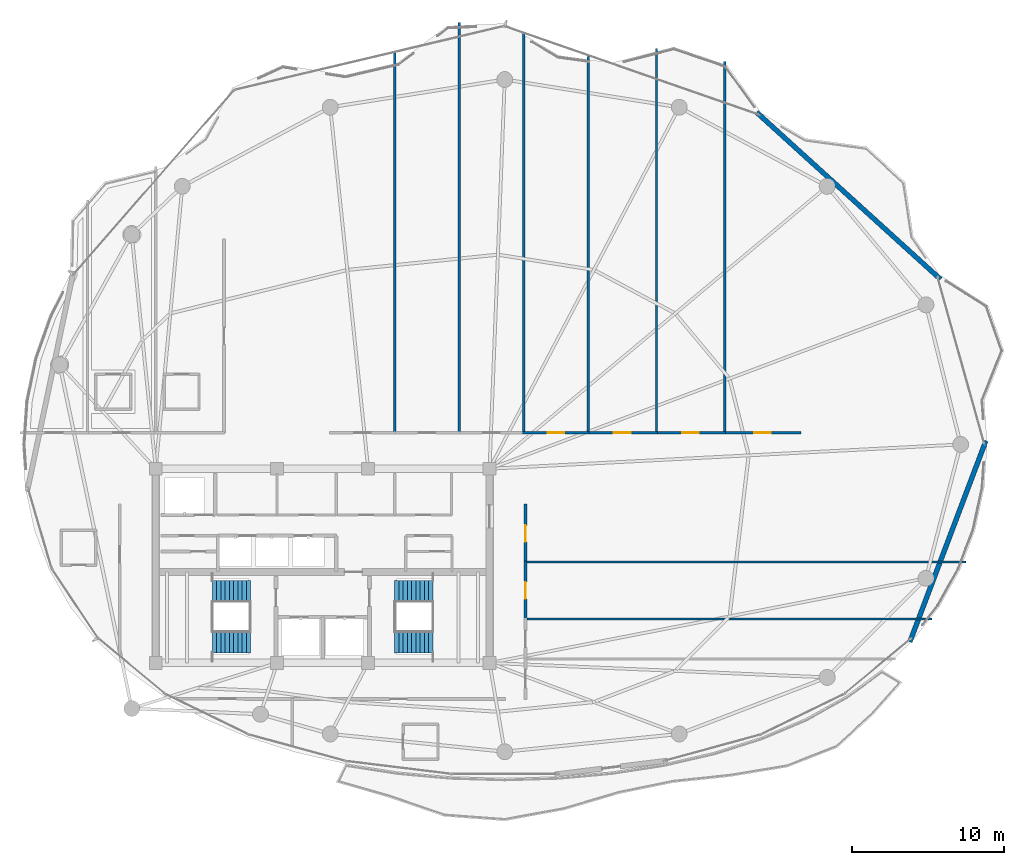
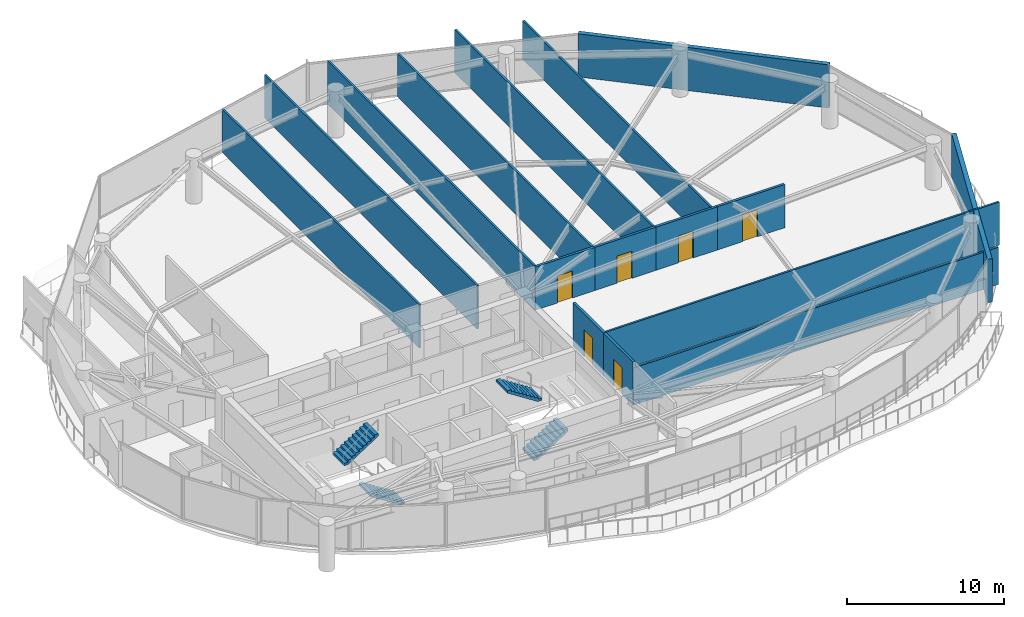
# One storey, part 25 of 29: 16 walls, 6 doors, 4 stair flights, 6 openings, 2 elements without a shape of their own.
"""IFC4 building model written with IfcOpenShell, lengths in metres."""

from ifc_helpers import new_model, si_unit, direction, frame, frame_2d, origin, place, context, subcontext, project, spatial, polyline, rectangle, outline, extrude, material, layer, layer_set, type_object, element, fill, aggregate, save


model = new_model("IFC4")

# Units and contexts
model_context = context("Model", 3, precision=1e-05, world=origin(), true_north=direction((0.0, 1.0)))
body_context = subcontext(model_context, "Body", "Model", "MODEL_VIEW")
ifc_project = project(units=[si_unit("LENGTHUNIT", "METRE"), si_unit("AREAUNIT", "SQUARE_METRE"), si_unit("VOLUMEUNIT", "CUBIC_METRE"), si_unit("PLANEANGLEUNIT", "RADIAN"), si_unit("MASSUNIT", "GRAM", prefix="KILO")], contexts=[model_context])

# Site, building, storey
site_placement = place(None, origin())
site = spatial("IfcSite", under=ifc_project, at=site_placement, CompositionType="ELEMENT")
building_placement = place(site_placement, origin())
building = spatial("IfcBuilding", under=site, at=building_placement, Name="Kazevale Care Tower and Concert Hall", CompositionType="ELEMENT")
storey_placement = place(building_placement, frame((0.0, 0.0, 224.39990234375)))
storey = spatial("IfcBuildingStorey", under=building, at=storey_placement, Name="L59", CompositionType="ELEMENT", Elevation=224.39990234375)

# Walls
ifc_material_1 = material(Name="Acoustic Gypsum on Steel Stud", Category="steel")
ifc_layer_1 = layer(ifc_material_1, 0.139892578125)
ifc_layer_set_1 = layer_set([ifc_layer_1], Name="Acoustic Gypsum on Steel Stud")
wall_type_1 = type_object("IfcWallType", Name="Acoustic Care & Suite Partition 140", PredefinedType="PARTITIONING", material=ifc_layer_set_1)
wall_1_placement = place(storey_placement, frame((37.75, 63.85205078125, 0.0), z_axis=(0.0, 0.0, 1.0), x_axis=(0.0, -1.0, 0.0)))
element("IfcWall", 1, at=wall_1_placement, inside=storey, type_object=wall_type_1, Name="wall:L59:auto_021", PredefinedType="PARTITIONING", context=body_context, shape_type="SweptSolid", body=[
    extrude(rectangle(XDim=25.10693359375, YDim=0.139892578125, at=frame_2d((12.553466796875, 0.0))), origin(), (0.0, 0.0, 1.0), 3.360107421875),
])
wall_2_placement = place(storey_placement, frame((42.0, 65.81103515625, 0.0), z_axis=(0.0, 0.0, 1.0), x_axis=(0.0, -1.0, 0.0)))
element("IfcWall", 2, at=wall_2_placement, inside=storey, type_object=wall_type_1, Name="wall:L59:auto_022", PredefinedType="PARTITIONING", context=body_context, shape_type="SweptSolid", body=[
    extrude(rectangle(XDim=27.06591796875, YDim=0.139892578125, at=frame_2d((13.532958984375, 0.0))), origin(), (0.0, 0.0, 1.0), 3.360107421875),
])
wall_3_placement = place(storey_placement, frame((46.25, 65.178955078125, 0.0), z_axis=(0.0, 0.0, 1.0), x_axis=(0.0, -1.0, 0.0)))
element("IfcWall", 3, at=wall_3_placement, inside=storey, type_object=wall_type_1, Name="wall:L59:auto_023", PredefinedType="PARTITIONING", context=body_context, shape_type="SweptSolid", body=[
    extrude(rectangle(XDim=26.433837890625, YDim=0.139892578125, at=frame_2d((13.216796875, 0.0))), origin(), (0.0, 0.0, 1.0), 3.360107421875),
])
wall_4_placement = place(storey_placement, frame((50.5, 63.569091796875, 0.0), z_axis=(0.0, 0.0, 1.0), x_axis=(0.0, -1.0, 0.0)))
element("IfcWall", 4, at=wall_4_placement, inside=storey, type_object=wall_type_1, Name="wall:L59:auto_024", PredefinedType="PARTITIONING", context=body_context, shape_type="SweptSolid", body=[
    extrude(rectangle(XDim=24.823974609375, YDim=0.139892578125, at=frame_2d((12.412109375, 0.0))), origin(), (0.0, 0.0, 1.0), 3.360107421875),
])
wall_5_placement = place(storey_placement, frame((55.0, 64.093994140625, 0.0), z_axis=(0.0, 0.0, 1.0), x_axis=(0.0, -1.0, 0.0)))
element("IfcWall", 5, at=wall_5_placement, inside=storey, type_object=wall_type_1, Name="wall:L59:auto_025", PredefinedType="PARTITIONING", context=body_context, shape_type="SweptSolid", body=[
    extrude(rectangle(XDim=25.348876953125, YDim=0.139892578125, at=frame_2d((12.67431640625, 0.0))), origin(), (0.0, 0.0, 1.0), 3.360107421875),
])
wall_6_placement = place(storey_placement, frame((59.5, 63.240966796875, 0.0), z_axis=(0.0, 0.0, 1.0), x_axis=(0.0, -1.0, 0.0)))
element("IfcWall", 6, at=wall_6_placement, inside=storey, type_object=wall_type_1, Name="wall:L59:auto_026", PredefinedType="PARTITIONING", context=body_context, shape_type="SweptSolid", body=[
    extrude(rectangle(XDim=24.495849609375, YDim=0.139892578125, at=frame_2d((12.248046875, 0.0))), origin(), (0.0, 0.0, 1.0), 2.99609375),
])
wall_7_placement = place(storey_placement, frame((46.344970703125, 26.5, 0.0), z_axis=(0.0, 0.0, 1.0), x_axis=(1.0, 0.0, 0.0)))
element("IfcWall", 7, at=wall_7_placement, inside=storey, type_object=wall_type_1, Name="wall:L59:auto_028", PredefinedType="PARTITIONING", context=body_context, shape_type="SweptSolid", body=[
    extrude(rectangle(XDim=26.819091796875, YDim=0.139892578125, at=frame_2d((13.40966796875, 0.0))), origin(), (0.0, 0.0, 1.0), 2.89013671875),
])
wall_8_placement = place(storey_placement, frame((46.344970703125, 30.25, 0.0), z_axis=(0.0, 0.0, 1.0), x_axis=(1.0, 0.0, 0.0)))
element("IfcWall", 8, at=wall_8_placement, inside=storey, type_object=wall_type_1, Name="wall:L59:auto_029", PredefinedType="PARTITIONING", context=body_context, shape_type="SweptSolid", body=[
    extrude(rectangle(XDim=29.049072265625, YDim=0.139892578125, at=frame_2d((14.5244140625, 0.0))), origin(), (0.0, 0.0, 1.0), 3.360107421875),
])

# Wall, opening, door
ifc_material_2 = material(Name="Concrete C40 and Acoustic Gypsum", Category="concrete")
ifc_layer_2 = layer(ifc_material_2, 0.179931640625)
ifc_layer_set_2 = layer_set([ifc_layer_2], Name="Concrete C40 and Acoustic Gypsum")
wall_type_2 = type_object("IfcWallType", Name="Fire-Rated Corridor & Party Wall 180", PredefinedType="PARTITIONING", material=ifc_layer_set_2)
wall_9_placement = place(storey_placement, frame((46.18505859375, 38.77490234375, 0.0), z_axis=(0.0, 0.0, 1.0), x_axis=(1.0, 0.0, 0.0)))
wall_9 = element("IfcWall", 9, at=wall_9_placement, inside=storey, type_object=wall_type_2, Name="wall:L59:auto_008", PredefinedType="PARTITIONING", context=body_context, shape_type="SweptSolid", body=[
    extrude(rectangle(XDim=4.3798828125, YDim=0.179931640625, at=frame_2d((2.18994140625, 0.0))), origin(), (0.0, 0.0, 1.0), 3.360107421875),
])
opening_1_placement = place(wall_9_placement, frame((1.639892578125, 0.0, 0.0)))
opening_1 = element("IfcOpeningElement", 10, at=opening_1_placement, cuts=wall_9, Name="Opening ID-1100", PredefinedType="OPENING", context=body_context, shape_type="SweptSolid", body=[
    extrude(rectangle(XDim=1.10009765625, YDim=2.10009765625, at=frame_2d((0.550048828125, 1.050048828125))), frame((0.0, 0.099853515625, 0.0), z_axis=(0.0, -1.0, 0.0), x_axis=(1.0, 0.0, 0.0)), (0.0, 0.0, 1.0), 0.199951171875),
])
ifc_material_3 = material(Name="Oak Timber Fire Leaf", Category="wood")
door_type = type_object("IfcDoorType", Name="Care Bedroom Accessible Door 1100x2100", OperationType="NOTDEFINED", PredefinedType="DOOR", material=ifc_material_3)
door_1_placement = place(opening_1_placement, origin())
door_1 = element("IfcDoor", 11, at=door_1_placement, inside=storey, type_object=door_type, Name="door:L59:ad_008", OperationType="SINGLE_SWING_LEFT", OverallHeight=2.10009765625, OverallWidth=1.10009765625, PredefinedType="DOOR", context=body_context, shape_type="SweptSolid", body=[
    extrude(rectangle(XDim=1.10009765625, YDim=2.10009765625, at=frame_2d((0.550048828125, 1.050048828125))), frame((0.0, 0.02490234375, 0.0), z_axis=(0.0, -1.0, 0.0), x_axis=(1.0, 0.0, 0.0)), (0.0, 0.0, 1.0), 0.050048828125),
])
fill(opening_1, door_1)

wall_10_placement = place(storey_placement, frame((50.43505859375, 38.77490234375, 0.0), z_axis=(0.0, 0.0, 1.0), x_axis=(1.0, 0.0, 0.0)))
wall_10 = element("IfcWall", 12, at=wall_10_placement, inside=storey, type_object=wall_type_2, Name="wall:L59:auto_009", PredefinedType="PARTITIONING", context=body_context, shape_type="SweptSolid", body=[
    extrude(rectangle(XDim=4.6298828125, YDim=0.179931640625, at=frame_2d((2.31494140625, 0.0))), origin(), (0.0, 0.0, 1.0), 3.360107421875),
])
opening_2_placement = place(wall_10_placement, frame((1.764892578125, 0.0, 0.0)))
opening_2 = element("IfcOpeningElement", 13, at=opening_2_placement, cuts=wall_10, Name="Opening ID-1100", PredefinedType="OPENING", context=body_context, shape_type="SweptSolid", body=[
    extrude(rectangle(XDim=1.10009765625, YDim=2.10009765625, at=frame_2d((0.550048828125, 1.050048828125))), frame((0.0, 0.099853515625, 0.0), z_axis=(0.0, -1.0, 0.0), x_axis=(1.0, 0.0, 0.0)), (0.0, 0.0, 1.0), 0.199951171875),
])
door_2_placement = place(opening_2_placement, origin())
door_2 = element("IfcDoor", 14, at=door_2_placement, inside=storey, type_object=door_type, Name="door:L59:ad_009", OperationType="SINGLE_SWING_LEFT", OverallHeight=2.10009765625, OverallWidth=1.10009765625, PredefinedType="DOOR", context=body_context, shape_type="SweptSolid", body=[
    extrude(rectangle(XDim=1.10009765625, YDim=2.10009765625, at=frame_2d((0.550048828125, 1.050048828125))), frame((0.0, 0.02490234375, 0.0), z_axis=(0.0, -1.0, 0.0), x_axis=(1.0, 0.0, 0.0)), (0.0, 0.0, 1.0), 0.050048828125),
])
fill(opening_2, door_2)

wall_11_placement = place(storey_placement, frame((54.93505859375, 38.77490234375, 0.0), z_axis=(0.0, 0.0, 1.0), x_axis=(1.0, 0.0, 0.0)))
wall_11 = element("IfcWall", 15, at=wall_11_placement, inside=storey, type_object=wall_type_2, Name="wall:L59:auto_010", PredefinedType="PARTITIONING", context=body_context, shape_type="SweptSolid", body=[
    extrude(rectangle(XDim=4.6298828125, YDim=0.179931640625, at=frame_2d((2.31494140625, 0.0))), origin(), (0.0, 0.0, 1.0), 3.360107421875),
])
opening_3_placement = place(wall_11_placement, frame((1.764892578125, 0.0, 0.0)))
opening_3 = element("IfcOpeningElement", 16, at=opening_3_placement, cuts=wall_11, Name="Opening ID-1100", PredefinedType="OPENING", context=body_context, shape_type="SweptSolid", body=[
    extrude(rectangle(XDim=1.10009765625, YDim=2.10009765625, at=frame_2d((0.550048828125, 1.050048828125))), frame((0.0, 0.099853515625, 0.0), z_axis=(0.0, -1.0, 0.0), x_axis=(1.0, 0.0, 0.0)), (0.0, 0.0, 1.0), 0.199951171875),
])
door_3_placement = place(opening_3_placement, origin())
door_3 = element("IfcDoor", 17, at=door_3_placement, inside=storey, type_object=door_type, Name="door:L59:ad_010", OperationType="SINGLE_SWING_LEFT", OverallHeight=2.10009765625, OverallWidth=1.10009765625, PredefinedType="DOOR", context=body_context, shape_type="SweptSolid", body=[
    extrude(rectangle(XDim=1.10009765625, YDim=2.10009765625, at=frame_2d((0.550048828125, 1.050048828125))), frame((0.0, 0.02490234375, 0.0), z_axis=(0.0, -1.0, 0.0), x_axis=(1.0, 0.0, 0.0)), (0.0, 0.0, 1.0), 0.050048828125),
])
fill(opening_3, door_3)

wall_12_placement = place(storey_placement, frame((59.43505859375, 38.77490234375, 0.0), z_axis=(0.0, 0.0, 1.0), x_axis=(1.0, 0.0, 0.0)))
wall_12 = element("IfcWall", 18, at=wall_12_placement, inside=storey, type_object=wall_type_2, Name="wall:L59:auto_011", PredefinedType="PARTITIONING", context=body_context, shape_type="SweptSolid", body=[
    extrude(rectangle(XDim=5.094970703125, YDim=0.179931640625, at=frame_2d((2.54736328125, 0.0))), origin(), (0.0, 0.0, 1.0), 3.360107421875),
])
opening_4_placement = place(wall_12_placement, frame((1.9970703125, 0.0, 0.0)))
opening_4 = element("IfcOpeningElement", 19, at=opening_4_placement, cuts=wall_12, Name="Opening ID-1100", PredefinedType="OPENING", context=body_context, shape_type="SweptSolid", body=[
    extrude(rectangle(XDim=1.10009765625, YDim=2.10009765625, at=frame_2d((0.550048828125, 1.050048828125))), frame((0.0, 0.099853515625, 0.0), z_axis=(0.0, -1.0, 0.0), x_axis=(1.0, 0.0, 0.0)), (0.0, 0.0, 1.0), 0.199951171875),
])
door_4_placement = place(opening_4_placement, origin())
door_4 = element("IfcDoor", 20, at=door_4_placement, inside=storey, type_object=door_type, Name="door:L59:ad_011", OperationType="SINGLE_SWING_LEFT", OverallHeight=2.10009765625, OverallWidth=1.10009765625, PredefinedType="DOOR", context=body_context, shape_type="SweptSolid", body=[
    extrude(rectangle(XDim=1.10009765625, YDim=2.10009765625, at=frame_2d((0.550048828125, 1.050048828125))), frame((0.0, 0.02490234375, 0.0), z_axis=(0.0, -1.0, 0.0), x_axis=(1.0, 0.0, 0.0)), (0.0, 0.0, 1.0), 0.050048828125),
])
fill(opening_4, door_4)

wall_13_placement = place(storey_placement, frame((46.375, 30.31494140625, 0.0), z_axis=(0.0, 0.0, 1.0), x_axis=(0.0, -1.0, 0.0)))
wall_13 = element("IfcWall", 21, at=wall_13_placement, inside=storey, type_object=wall_type_2, Name="wall:L59:auto_014", PredefinedType="PARTITIONING", context=body_context, shape_type="SweptSolid", body=[
    extrude(rectangle(XDim=3.8798828125, YDim=0.179931640625, at=frame_2d((1.93994140625, 0.0))), origin(), (0.0, 0.0, 1.0), 3.360107421875),
])
opening_5_placement = place(wall_13_placement, frame((1.389892578125, 0.0, 0.0)))
opening_5 = element("IfcOpeningElement", 22, at=opening_5_placement, cuts=wall_13, Name="Opening ID-1100", PredefinedType="OPENING", context=body_context, shape_type="SweptSolid", body=[
    extrude(rectangle(XDim=1.10009765625, YDim=2.10009765625, at=frame_2d((0.550048828125, 1.050048828125))), frame((0.0, 0.099853515625, 0.0), z_axis=(0.0, -1.0, 0.0), x_axis=(1.0, 0.0, 0.0)), (0.0, 0.0, 1.0), 0.199951171875),
])
door_5_placement = place(opening_5_placement, origin())
door_5 = element("IfcDoor", 23, at=door_5_placement, inside=storey, type_object=door_type, Name="door:L59:ad_014", OperationType="SINGLE_SWING_LEFT", OverallHeight=2.10009765625, OverallWidth=1.10009765625, PredefinedType="DOOR", context=body_context, shape_type="SweptSolid", body=[
    extrude(rectangle(XDim=1.10009765625, YDim=2.10009765625, at=frame_2d((0.550048828125, 1.050048828125))), frame((0.0, 0.02490234375, 0.0), z_axis=(0.0, -1.0, 0.0), x_axis=(1.0, 0.0, 0.0)), (0.0, 0.0, 1.0), 0.050048828125),
])
fill(opening_5, door_5)

wall_14_placement = place(storey_placement, frame((46.375, 34.06494140625, 0.0), z_axis=(0.0, 0.0, 1.0), x_axis=(0.0, -1.0, 0.0)))
wall_14 = element("IfcWall", 24, at=wall_14_placement, inside=storey, type_object=wall_type_2, Name="wall:L59:auto_015", PredefinedType="PARTITIONING", context=body_context, shape_type="SweptSolid", body=[
    extrude(rectangle(XDim=3.8798828125, YDim=0.179931640625, at=frame_2d((1.93994140625, 0.0))), origin(), (0.0, 0.0, 1.0), 3.360107421875),
])
opening_6_placement = place(wall_14_placement, frame((1.389892578125, 0.0, 0.0)))
opening_6 = element("IfcOpeningElement", 25, at=opening_6_placement, cuts=wall_14, Name="Opening ID-1100", PredefinedType="OPENING", context=body_context, shape_type="SweptSolid", body=[
    extrude(rectangle(XDim=1.10009765625, YDim=2.10009765625, at=frame_2d((0.550048828125, 1.050048828125))), frame((0.0, 0.099853515625, 0.0), z_axis=(0.0, -1.0, 0.0), x_axis=(1.0, 0.0, 0.0)), (0.0, 0.0, 1.0), 0.199951171875),
])
door_6_placement = place(opening_6_placement, origin())
door_6 = element("IfcDoor", 26, at=door_6_placement, inside=storey, type_object=door_type, Name="door:L59:ad_015", OperationType="SINGLE_SWING_LEFT", OverallHeight=2.10009765625, OverallWidth=1.10009765625, PredefinedType="DOOR", context=body_context, shape_type="SweptSolid", body=[
    extrude(rectangle(XDim=1.10009765625, YDim=2.10009765625, at=frame_2d((0.550048828125, 1.050048828125))), frame((0.0, 0.02490234375, 0.0), z_axis=(0.0, -1.0, 0.0), x_axis=(1.0, 0.0, 0.0)), (0.0, 0.0, 1.0), 0.050048828125),
])
fill(opening_6, door_6)

# Walls
ifc_material_4 = material(Name="Concrete C40 with Honed Limestone Cladding", Category="masonry")
ifc_layer_3 = layer(ifc_material_4, 0.320068359375)
ifc_layer_set_3 = layer_set([ifc_layer_3], Name="Concrete C40 with Honed Limestone Cladding")
wall_type_3 = type_object("IfcWallType", Name="Tower Honed Limestone Spandrel Wall 320", PredefinedType="STANDARD", material=ifc_layer_set_3)
wall_15_placement = place(storey_placement, frame((76.7119140625, 38.242919921875, 0.0), z_axis=(0.0, 0.0, 1.0), x_axis=(-0.353659523244, -0.935374225441, 0.0)))
element("IfcWall", 27, at=wall_15_placement, inside=storey, type_object=wall_type_3, Name="wall:cw:L59:f01", PredefinedType="STANDARD", context=body_context, shape_type="SweptSolid", body=[
    extrude(rectangle(XDim=14.171630859375, YDim=0.320068359375, at=frame_2d((7.0859375, 0.0))), origin(), (0.0, 0.0, 1.0), 3.360107421875),
])
wall_16_placement = place(storey_placement, frame((61.60205078125, 59.884033203125, 0.0), z_axis=(0.0, 0.0, 1.0), x_axis=(0.740416582554, -0.672148260638, 0.0)))
element("IfcWall", 28, at=wall_16_placement, inside=storey, type_object=wall_type_3, Name="wall:cw:L59:f17", PredefinedType="STANDARD", context=body_context, shape_type="SweptSolid", body=[
    extrude(rectangle(XDim=16.361083984375, YDim=0.320068359375, at=frame_2d((8.1806640625, 0.0))), origin(), (0.0, 0.0, 1.0), 3.360107421875),
])

# Stair, stair flights
ifc_material_5 = material(Name="Concrete C40", Category="concrete")
stair_type = type_object("IfcStairType", Name="Exit Stair Assembly ST1-Z3", PredefinedType="HALF_TURN_STAIR", material=ifc_material_5)
stair_1_placement = place(storey_placement, origin())
stair_1 = element("IfcStair", 29, at=stair_1_placement, inside=storey, type_object=stair_type, Name="stair:L59:ST1", PredefinedType="HALF_TURN_STAIR")
ifc_layer_4 = layer(ifc_material_5, 0.159912109375)
ifc_layer_set_4 = layer_set([ifc_layer_4], Name="Concrete C40")
stair_flight_type = type_object("IfcStairFlightType", Name="Exit Stair Flight ST1-Z3", PredefinedType="STRAIGHT", material=ifc_layer_set_4)
stair_flight_1_placement = place(storey_placement, frame((28.25, 24.97509765625, 0.0), z_axis=(0.0, 0.0, 1.0), x_axis=(-1.0, 0.0, 0.0)))
stair_flight_1 = element("IfcStairFlight", 30, at=stair_flight_1_placement, type_object=stair_flight_type, Name="ST1-Z3 flight 1", NumberOfRisers=10, NumberOfTreads=9, PredefinedType="STRAIGHT", RiserHeight=0.18, TreadLength=0.28, context=body_context, shape_type="SweptSolid", body=[
    extrude(outline(polyline([(0.0, 0.0), (0.0, 0.179931640625), (0.280029296875, 0.179931640625), (0.280029296875, 0.360107421875), (0.56005859375, 0.360107421875), (0.56005859375, 0.5400390625), (0.840087890625, 0.5400390625), (0.840087890625, 0.719970703125), (1.1201171875, 0.719970703125), (1.1201171875, 0.89990234375), (1.39990234375, 0.89990234375), (1.39990234375, 1.080078125), (1.679931640625, 1.080078125), (1.679931640625, 1.260009765625), (1.9599609375, 1.260009765625), (1.9599609375, 1.43994140625), (2.239990234375, 1.43994140625), (2.239990234375, 1.6201171875), (2.52001953125, 1.6201171875), (2.52001953125, 1.800048828125), (2.52001953125, 1.429931640625), (0.295654296875, 0.0), (0.0, 0.0)])), frame((0.0, 0.72509765625, 0.0), z_axis=(0.0, -1.0, 0.0), x_axis=(1.0, 0.0, 0.0)), (0.0, 0.0, 1.0), 1.449951171875),
])
stair_flight_2_placement = place(storey_placement, frame((25.72998046875, 28.324951171875, 1.800048828125), z_axis=(0.0, 0.0, 1.0), x_axis=(1.0, 0.0, 0.0)))
stair_flight_2 = element("IfcStairFlight", 31, at=stair_flight_2_placement, type_object=stair_flight_type, Name="ST1-Z3 flight 2", NumberOfRisers=10, NumberOfTreads=9, PredefinedType="STRAIGHT", RiserHeight=0.18, TreadLength=0.28, context=body_context, shape_type="SweptSolid", body=[
    extrude(outline(polyline([(0.0, 0.0), (0.0, 0.179931640625), (0.280029296875, 0.179931640625), (0.280029296875, 0.360107421875), (0.56005859375, 0.360107421875), (0.56005859375, 0.5400390625), (0.840087890625, 0.5400390625), (0.840087890625, 0.719970703125), (1.1201171875, 0.719970703125), (1.1201171875, 0.89990234375), (1.39990234375, 0.89990234375), (1.39990234375, 1.080078125), (1.679931640625, 1.080078125), (1.679931640625, 1.260009765625), (1.9599609375, 1.260009765625), (1.9599609375, 1.43994140625), (2.239990234375, 1.43994140625), (2.239990234375, 1.6201171875), (2.52001953125, 1.6201171875), (2.52001953125, 1.800048828125), (2.52001953125, 1.429931640625), (0.295654296875, 0.0), (0.0, 0.0)])), frame((0.0, 0.72509765625, 0.0), z_axis=(0.0, -1.0, 0.0), x_axis=(1.0, 0.0, 0.0)), (0.0, 0.0, 1.0), 1.449951171875),
])
aggregate(stair_1, [stair_flight_1, stair_flight_2])

stair_2_placement = place(storey_placement, origin())
stair_2 = element("IfcStair", 32, at=stair_2_placement, inside=storey, type_object=stair_type, Name="stair:L59:ST2", PredefinedType="HALF_TURN_STAIR")
stair_flight_3_placement = place(storey_placement, frame((37.75, 24.97509765625, 0.0), z_axis=(0.0, 0.0, 1.0), x_axis=(1.0, 0.0, 0.0)))
stair_flight_3 = element("IfcStairFlight", 33, at=stair_flight_3_placement, type_object=stair_flight_type, Name="ST1-Z3 flight 1", NumberOfRisers=10, NumberOfTreads=9, PredefinedType="STRAIGHT", RiserHeight=0.18, TreadLength=0.28, context=body_context, shape_type="SweptSolid", body=[
    extrude(outline(polyline([(0.0, 0.0), (0.0, 0.179931640625), (0.280029296875, 0.179931640625), (0.280029296875, 0.360107421875), (0.56005859375, 0.360107421875), (0.56005859375, 0.5400390625), (0.840087890625, 0.5400390625), (0.840087890625, 0.719970703125), (1.1201171875, 0.719970703125), (1.1201171875, 0.89990234375), (1.39990234375, 0.89990234375), (1.39990234375, 1.080078125), (1.679931640625, 1.080078125), (1.679931640625, 1.260009765625), (1.9599609375, 1.260009765625), (1.9599609375, 1.43994140625), (2.239990234375, 1.43994140625), (2.239990234375, 1.6201171875), (2.52001953125, 1.6201171875), (2.52001953125, 1.800048828125), (2.52001953125, 1.429931640625), (0.295654296875, 0.0), (0.0, 0.0)])), frame((0.0, 0.72509765625, 0.0), z_axis=(0.0, -1.0, 0.0), x_axis=(1.0, 0.0, 0.0)), (0.0, 0.0, 1.0), 1.449951171875),
])
stair_flight_4_placement = place(storey_placement, frame((40.27001953125, 28.324951171875, 1.800048828125), z_axis=(0.0, 0.0, 1.0), x_axis=(-1.0, 0.0, 0.0)))
stair_flight_4 = element("IfcStairFlight", 34, at=stair_flight_4_placement, type_object=stair_flight_type, Name="ST1-Z3 flight 2", NumberOfRisers=10, NumberOfTreads=9, PredefinedType="STRAIGHT", RiserHeight=0.18, TreadLength=0.28, context=body_context, shape_type="SweptSolid", body=[
    extrude(outline(polyline([(0.0, 0.0), (0.0, 0.179931640625), (0.280029296875, 0.179931640625), (0.280029296875, 0.360107421875), (0.56005859375, 0.360107421875), (0.56005859375, 0.5400390625), (0.840087890625, 0.5400390625), (0.840087890625, 0.719970703125), (1.1201171875, 0.719970703125), (1.1201171875, 0.89990234375), (1.39990234375, 0.89990234375), (1.39990234375, 1.080078125), (1.679931640625, 1.080078125), (1.679931640625, 1.260009765625), (1.9599609375, 1.260009765625), (1.9599609375, 1.43994140625), (2.239990234375, 1.43994140625), (2.239990234375, 1.6201171875), (2.52001953125, 1.6201171875), (2.52001953125, 1.800048828125), (2.52001953125, 1.429931640625), (0.295654296875, 0.0), (0.0, 0.0)])), frame((0.0, 0.72509765625, 0.0), z_axis=(0.0, -1.0, 0.0), x_axis=(1.0, 0.0, 0.0)), (0.0, 0.0, 1.0), 1.449951171875),
])
aggregate(stair_2, [stair_flight_3, stair_flight_4])

save(model, "model.ifc")
